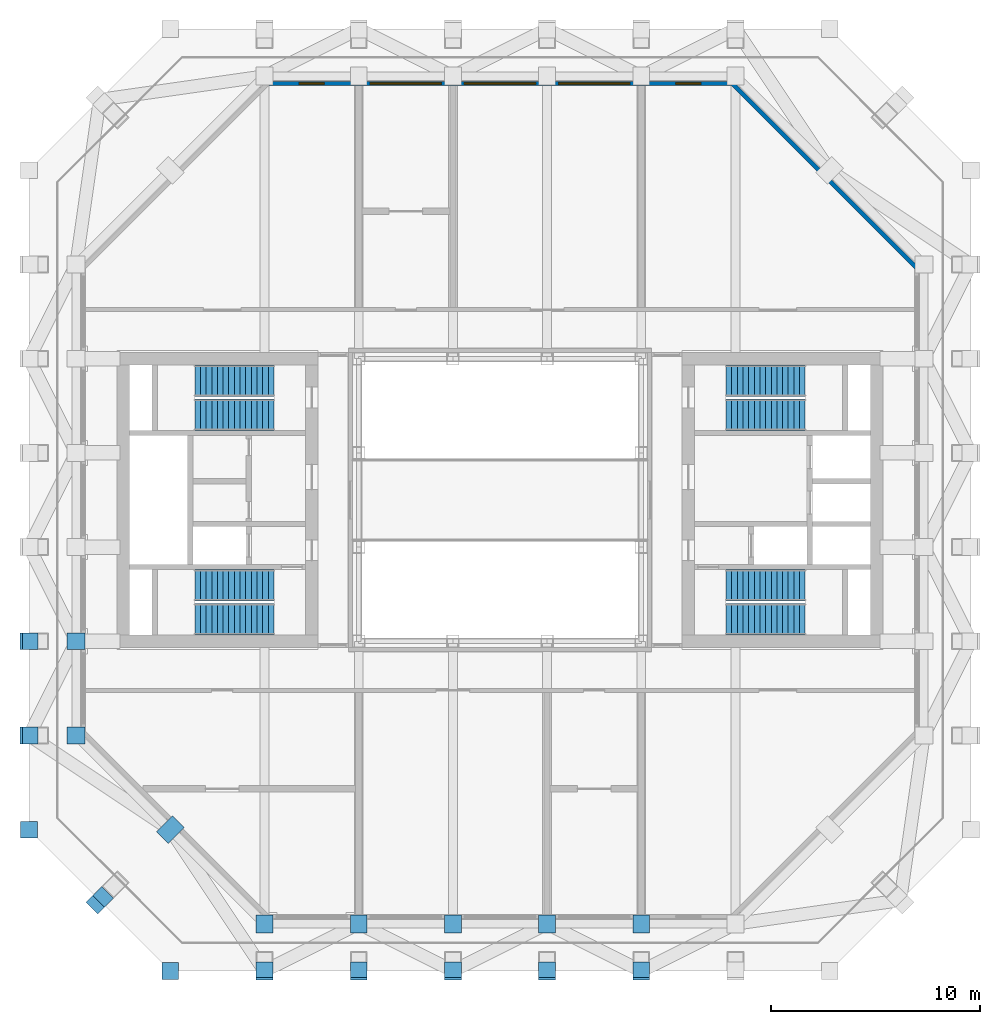
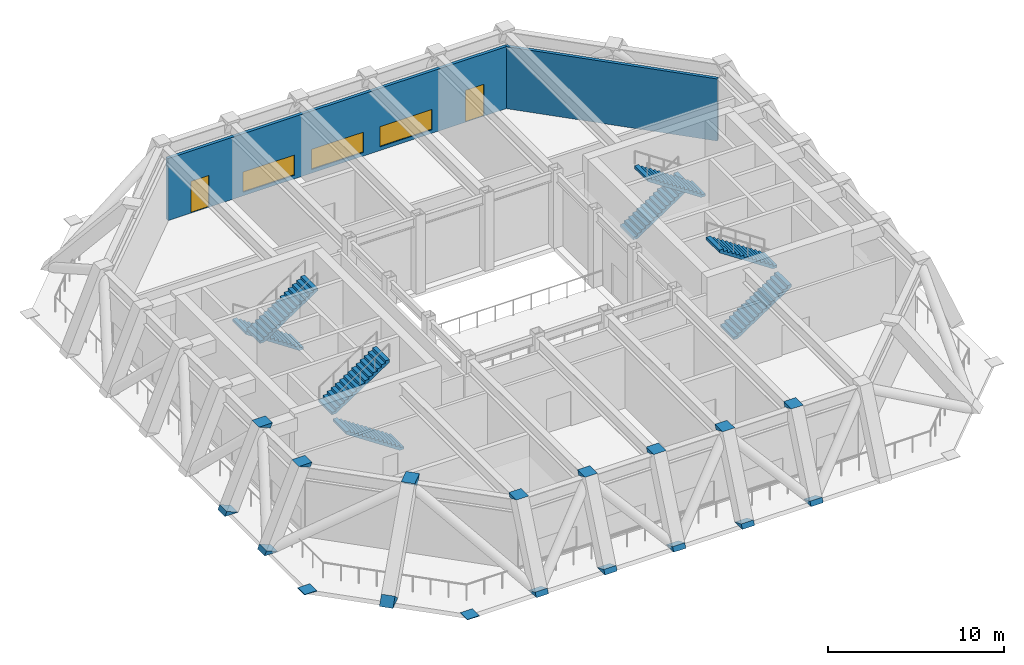
# One storey, part 5 of 8: 18 discrete accessories, 8 stair flights, 3 windows, 2 doors, 2 walls, 5 openings, 4 elements without a shape of their own.
"""IFC4 building model written with IfcOpenShell, lengths in metres."""

from ifc_helpers import new_model, si_unit, direction, frame, frame_2d, origin, origin_2d, place, context, subcontext, project, spatial, polyline, rectangle, outline, extrude, clip, halfspace, material, layer, layer_set, type_object, element, fill, aggregate, save


model = new_model("IFC4")

# Units and contexts
model_context = context("Model", 3, precision=1e-05, world=origin(), true_north=direction((0.0, 1.0)))
body_context = subcontext(model_context, "Body", "Model", "MODEL_VIEW")
ifc_project = project(units=[si_unit("LENGTHUNIT", "METRE"), si_unit("AREAUNIT", "SQUARE_METRE"), si_unit("VOLUMEUNIT", "CUBIC_METRE"), si_unit("PLANEANGLEUNIT", "RADIAN"), si_unit("MASSUNIT", "GRAM", prefix="KILO")], contexts=[model_context])

# Site, building, storey
site_placement = place(None, origin())
site = spatial("IfcSite", under=ifc_project, at=site_placement, CompositionType="ELEMENT")
building_placement = place(site_placement, origin())
building = spatial("IfcBuilding", under=site, at=building_placement, Name="Msasa Ring Tower", CompositionType="ELEMENT")
storey_placement = place(building_placement, frame((0.0, 0.0, 190.39990234375)))
storey = spatial("IfcBuildingStorey", under=building, at=storey_placement, Name="L50", CompositionType="ELEMENT", Elevation=190.39990234375)

# Wall
ifc_material_1 = material(Name="Terracotta rainscreen on blockwork", Category="masonry")
ifc_layer = layer(ifc_material_1, 0.199951171875)
ifc_layer_set = layer_set([ifc_layer], Name="FW3 PLANT FLOOR WALL 200")
wall_type = type_object("IfcWallType", Name="FW3 PLANT FLOOR WALL 200", PredefinedType="SOLIDWALL", material=ifc_layer_set)
wall_1_placement = place(storey_placement, frame((11.10498046875, 19.89990234375, 0.0), z_axis=(0.0, 0.0, 1.0), x_axis=(0.707106781187, -0.707106781187, 0.0)))
element("IfcWall", 1, at=wall_1_placement, inside=storey, type_object=wall_type, Name="Plant floor wall NE L50", PredefinedType="SOLIDWALL", context=body_context, shape_type="SweptSolid", body=[
    extrude(rectangle(XDim=12.43798828125, YDim=0.199951171875, at=frame_2d((6.218994140625, 0.0))), origin(), (0.0, 0.0, 1.0), 4.29931640625),
])

# Wall, openings, doors, windows
wall_2_placement = place(storey_placement, frame((-11.10498046875, 19.89990234375, 0.0), z_axis=(0.0, 0.0, 1.0), x_axis=(1.0, 0.0, 0.0)))
wall_2 = element("IfcWall", 2, at=wall_2_placement, inside=storey, type_object=wall_type, Name="Plant floor wall N L50", PredefinedType="SOLIDWALL", context=body_context, shape_type="SweptSolid", body=[
    extrude(rectangle(XDim=22.2099609375, YDim=0.199951171875, at=frame_2d((11.10498046875, 0.0))), origin(), (0.0, 0.0, 1.0), 4.29931640625),
])
opening_1_placement = place(wall_2_placement, frame((1.5048828125, 0.0, 0.0)))
opening_1 = element("IfcOpeningElement", 3, at=opening_1_placement, cuts=wall_2, Name="Opening L50-001", PredefinedType="OPENING", context=body_context, shape_type="SweptSolid", body=[
    extrude(rectangle(XDim=1.199951171875, YDim=2.199951171875, at=frame_2d((0.60009765625, 1.10009765625))), frame((0.0, 0.10986328125, 0.0), z_axis=(0.0, -1.0, 0.0), x_axis=(1.0, 0.0, 0.0)), (0.0, 0.0, 1.0), 0.219970703125),
])
opening_2_placement = place(wall_2_placement, frame((4.905029296875, 0.0, 0.25)))
opening_2 = element("IfcOpeningElement", 4, at=opening_2_placement, cuts=wall_2, Name="Opening LV1", PredefinedType="OPENING", context=body_context, shape_type="SweptSolid", body=[
    extrude(rectangle(XDim=3.39990234375, YDim=1.39990234375, at=frame_2d((1.699951171875, 0.699951171875))), frame((0.0, 0.10986328125, 0.0), z_axis=(0.0, -1.0, 0.0), x_axis=(1.0, 0.0, 0.0)), (0.0, 0.0, 1.0), 0.219970703125),
])
opening_3_placement = place(wall_2_placement, frame((9.405029296875, 0.0, 0.25)))
opening_3 = element("IfcOpeningElement", 5, at=opening_3_placement, cuts=wall_2, Name="Opening LV1", PredefinedType="OPENING", context=body_context, shape_type="SweptSolid", body=[
    extrude(rectangle(XDim=3.39990234375, YDim=1.39990234375, at=frame_2d((1.699951171875, 0.699951171875))), frame((0.0, 0.10986328125, 0.0), z_axis=(0.0, -1.0, 0.0), x_axis=(1.0, 0.0, 0.0)), (0.0, 0.0, 1.0), 0.219970703125),
])
opening_4_placement = place(wall_2_placement, frame((13.905029296875, 0.0, 0.25)))
opening_4 = element("IfcOpeningElement", 6, at=opening_4_placement, cuts=wall_2, Name="Opening LV1", PredefinedType="OPENING", context=body_context, shape_type="SweptSolid", body=[
    extrude(rectangle(XDim=3.39990234375, YDim=1.39990234375, at=frame_2d((1.699951171875, 0.699951171875))), frame((0.0, 0.10986328125, 0.0), z_axis=(0.0, -1.0, 0.0), x_axis=(1.0, 0.0, 0.0)), (0.0, 0.0, 1.0), 0.219970703125),
])
opening_5_placement = place(wall_2_placement, frame((19.5048828125, 0.0, 0.0)))
opening_5 = element("IfcOpeningElement", 7, at=opening_5_placement, cuts=wall_2, Name="Opening L50-002", PredefinedType="OPENING", context=body_context, shape_type="SweptSolid", body=[
    extrude(rectangle(XDim=1.199951171875, YDim=2.199951171875, at=frame_2d((0.60009765625, 1.10009765625))), frame((0.0, 0.10986328125, 0.0), z_axis=(0.0, -1.0, 0.0), x_axis=(1.0, 0.0, 0.0)), (0.0, 0.0, 1.0), 0.219970703125),
])
ifc_material_2 = material(Name="Aluminium frame with clear glass", Category="aluminium")
door_type = type_object("IfcDoorType", Name="ED2 REFUGE DOOR 1200x2200", OperationType="SINGLE_SWING_LEFT", PredefinedType="DOOR", material=ifc_material_2)
door_1_placement = place(opening_1_placement, origin())
door_1 = element("IfcDoor", 8, at=door_1_placement, inside=storey, type_object=door_type, Name="Refuge terrace door N L50", OperationType="SINGLE_SWING_LEFT", OverallHeight=2.199951171875, OverallWidth=1.199951171875, PredefinedType="DOOR", context=body_context, shape_type="SweptSolid", body=[
    extrude(rectangle(XDim=1.199951171875, YDim=2.199951171875, at=frame_2d((0.60009765625, 1.10009765625))), frame((0.0, 0.02490234375, 0.0), z_axis=(0.0, -1.0, 0.0), x_axis=(1.0, 0.0, 0.0)), (0.0, 0.0, 1.0), 0.050048828125),
])
fill(opening_1, door_1)
door_2_placement = place(opening_5_placement, origin())
door_2 = element("IfcDoor", 9, at=door_2_placement, inside=storey, type_object=door_type, Name="Refuge terrace door N L50", OperationType="SINGLE_SWING_RIGHT", OverallHeight=2.199951171875, OverallWidth=1.199951171875, PredefinedType="DOOR", context=body_context, shape_type="SweptSolid", body=[
    extrude(rectangle(XDim=1.199951171875, YDim=2.199951171875, at=frame_2d((0.60009765625, 1.10009765625))), frame((0.0, 0.02490234375, 0.0), z_axis=(0.0, -1.0, 0.0), x_axis=(1.0, 0.0, 0.0)), (0.0, 0.0, 1.0), 0.050048828125),
])
fill(opening_5, door_2)
ifc_material_3 = material(Name="Aluminium weather louvre", Category="aluminium")
window_type = type_object("IfcWindowType", Name="LV1 PLANT LOUVRE 3400x1400", PartitioningType="SINGLE_PANEL", PredefinedType="USERDEFINED", material=ifc_material_3)
window_1_placement = place(opening_2_placement, origin())
window_1 = element("IfcWindow", 10, at=window_1_placement, inside=storey, type_object=window_type, Name="Plant louvre N L50 01", ObjectType="LOUVRE", OverallHeight=1.39990234375, OverallWidth=3.39990234375, PartitioningType="SINGLE_PANEL", PredefinedType="USERDEFINED", context=body_context, shape_type="SweptSolid", body=[
    extrude(rectangle(XDim=3.39990234375, YDim=1.39990234375, at=frame_2d((1.699951171875, 0.699951171875))), frame((0.0, 0.030029296875, 0.0), z_axis=(0.0, -1.0, 0.0), x_axis=(1.0, 0.0, 0.0)), (0.0, 0.0, 1.0), 0.06005859375),
])
fill(opening_2, window_1)
window_2_placement = place(opening_3_placement, origin())
window_2 = element("IfcWindow", 11, at=window_2_placement, inside=storey, type_object=window_type, Name="Plant louvre N L50 02", ObjectType="LOUVRE", OverallHeight=1.39990234375, OverallWidth=3.39990234375, PartitioningType="SINGLE_PANEL", PredefinedType="USERDEFINED", context=body_context, shape_type="SweptSolid", body=[
    extrude(rectangle(XDim=3.39990234375, YDim=1.39990234375, at=frame_2d((1.699951171875, 0.699951171875))), frame((0.0, 0.030029296875, 0.0), z_axis=(0.0, -1.0, 0.0), x_axis=(1.0, 0.0, 0.0)), (0.0, 0.0, 1.0), 0.06005859375),
])
fill(opening_3, window_2)
window_3_placement = place(opening_4_placement, origin())
window_3 = element("IfcWindow", 12, at=window_3_placement, inside=storey, type_object=window_type, Name="Plant louvre N L50 03", ObjectType="LOUVRE", OverallHeight=1.39990234375, OverallWidth=3.39990234375, PartitioningType="SINGLE_PANEL", PredefinedType="USERDEFINED", context=body_context, shape_type="SweptSolid", body=[
    extrude(rectangle(XDim=3.39990234375, YDim=1.39990234375, at=frame_2d((1.699951171875, 0.699951171875))), frame((0.0, 0.030029296875, 0.0), z_axis=(0.0, -1.0, 0.0), x_axis=(1.0, 0.0, 0.0)), (0.0, 0.0, 1.0), 0.06005859375),
])
fill(opening_4, window_3)

# Stair, stair flights
ifc_material_4 = material(Name="Concrete C40/50", Category="concrete")
stair_type = type_object("IfcStairType", Name="STC CORE STAIR 30 RISERS 180", PredefinedType="HALF_TURN_STAIR", material=ifc_material_4)
stair_1_placement = place(storey_placement, origin())
stair_1 = element("IfcStair", 13, at=stair_1_placement, inside=storey, type_object=stair_type, Name="Core stair SEA L50", PredefinedType="HALF_TURN_STAIR")
ifc_material_5 = material(Name="Concrete C40/50", Category="concrete")
stair_flight_type = type_object("IfcStairFlightType", Name="ST15 CORE STAIR FLIGHT 1500 15 RISERS 180", PredefinedType="STRAIGHT", material=ifc_material_5)
stair_flight_1_placement = place(storey_placement, frame((10.800048828125, -5.699951171875, 0.0), z_axis=(0.0, 0.0, 1.0), x_axis=(1.0, 0.0, 0.0)))
stair_flight_1 = element("IfcStairFlight", 14, at=stair_flight_1_placement, type_object=stair_flight_type, Name="SEA flight 1", NumberOfRisers=15, NumberOfTreads=14, PredefinedType="STRAIGHT", RiserHeight=0.18, TreadLength=0.27, context=body_context, shape_type="SweptSolid", body=[
    extrude(outline(polyline([(0.0, 0.0), (0.0, 0.179931640625), (0.27001953125, 0.179931640625), (0.27001953125, 0.360107421875), (0.5400390625, 0.360107421875), (0.5400390625, 0.5400390625), (0.81005859375, 0.5400390625), (0.81005859375, 0.719970703125), (1.080078125, 0.719970703125), (1.080078125, 0.89990234375), (1.35009765625, 0.89990234375), (1.35009765625, 1.080078125), (1.6201171875, 1.080078125), (1.6201171875, 1.260009765625), (1.889892578125, 1.260009765625), (1.889892578125, 1.43994140625), (2.159912109375, 1.43994140625), (2.159912109375, 1.6201171875), (2.429931640625, 1.6201171875), (2.429931640625, 1.800048828125), (2.699951171875, 1.800048828125), (2.699951171875, 1.97998046875), (2.969970703125, 1.97998046875), (2.969970703125, 2.159912109375), (3.239990234375, 2.159912109375), (3.239990234375, 2.340087890625), (3.510009765625, 2.340087890625), (3.510009765625, 2.52001953125), (3.780029296875, 2.52001953125), (3.780029296875, 2.699951171875), (3.780029296875, 2.33984375), (0.270263671875, 0.0), (0.0, 0.0)])), frame((0.0, 0.75, 0.0), z_axis=(0.0, -1.0, 0.0), x_axis=(1.0, 0.0, 0.0)), (0.0, 0.0, 1.0), 1.5),
])
stair_flight_2_placement = place(storey_placement, frame((14.580078125, -4.074951171875, 2.7001953125), z_axis=(0.0, 0.0, 1.0), x_axis=(-1.0, 0.0, 0.0)))
stair_flight_2 = element("IfcStairFlight", 15, at=stair_flight_2_placement, type_object=stair_flight_type, Name="SEA flight 2", NumberOfRisers=15, NumberOfTreads=14, PredefinedType="STRAIGHT", RiserHeight=0.18, TreadLength=0.27, context=body_context, shape_type="SweptSolid", body=[
    extrude(outline(polyline([(0.0, 0.0), (0.0, 0.179931640625), (0.27001953125, 0.179931640625), (0.27001953125, 0.360107421875), (0.5400390625, 0.360107421875), (0.5400390625, 0.5400390625), (0.81005859375, 0.5400390625), (0.81005859375, 0.719970703125), (1.080078125, 0.719970703125), (1.080078125, 0.89990234375), (1.35009765625, 0.89990234375), (1.35009765625, 1.080078125), (1.6201171875, 1.080078125), (1.6201171875, 1.260009765625), (1.889892578125, 1.260009765625), (1.889892578125, 1.43994140625), (2.159912109375, 1.43994140625), (2.159912109375, 1.6201171875), (2.429931640625, 1.6201171875), (2.429931640625, 1.800048828125), (2.699951171875, 1.800048828125), (2.699951171875, 1.97998046875), (2.969970703125, 1.97998046875), (2.969970703125, 2.159912109375), (3.239990234375, 2.159912109375), (3.239990234375, 2.340087890625), (3.510009765625, 2.340087890625), (3.510009765625, 2.52001953125), (3.780029296875, 2.52001953125), (3.780029296875, 2.699951171875), (3.780029296875, 2.33984375), (0.270263671875, 0.0), (0.0, 0.0)])), frame((0.0, 0.75, 0.0), z_axis=(0.0, -1.0, 0.0), x_axis=(1.0, 0.0, 0.0)), (0.0, 0.0, 1.0), 1.5),
])
aggregate(stair_1, [stair_flight_1, stair_flight_2])

stair_2_placement = place(storey_placement, origin())
stair_2 = element("IfcStair", 16, at=stair_2_placement, inside=storey, type_object=stair_type, Name="Core stair SEB L50", PredefinedType="HALF_TURN_STAIR")
stair_flight_3_placement = place(storey_placement, frame((10.800048828125, 5.699951171875, 0.0), z_axis=(0.0, 0.0, 1.0), x_axis=(1.0, 0.0, 0.0)))
stair_flight_3 = element("IfcStairFlight", 17, at=stair_flight_3_placement, type_object=stair_flight_type, Name="SEB flight 1", NumberOfRisers=15, NumberOfTreads=14, PredefinedType="STRAIGHT", RiserHeight=0.18, TreadLength=0.27, context=body_context, shape_type="SweptSolid", body=[
    extrude(outline(polyline([(0.0, 0.0), (0.0, 0.179931640625), (0.27001953125, 0.179931640625), (0.27001953125, 0.360107421875), (0.5400390625, 0.360107421875), (0.5400390625, 0.5400390625), (0.81005859375, 0.5400390625), (0.81005859375, 0.719970703125), (1.080078125, 0.719970703125), (1.080078125, 0.89990234375), (1.35009765625, 0.89990234375), (1.35009765625, 1.080078125), (1.6201171875, 1.080078125), (1.6201171875, 1.260009765625), (1.889892578125, 1.260009765625), (1.889892578125, 1.43994140625), (2.159912109375, 1.43994140625), (2.159912109375, 1.6201171875), (2.429931640625, 1.6201171875), (2.429931640625, 1.800048828125), (2.699951171875, 1.800048828125), (2.699951171875, 1.97998046875), (2.969970703125, 1.97998046875), (2.969970703125, 2.159912109375), (3.239990234375, 2.159912109375), (3.239990234375, 2.340087890625), (3.510009765625, 2.340087890625), (3.510009765625, 2.52001953125), (3.780029296875, 2.52001953125), (3.780029296875, 2.699951171875), (3.780029296875, 2.33984375), (0.270263671875, 0.0), (0.0, 0.0)])), frame((0.0, 0.75, 0.0), z_axis=(0.0, -1.0, 0.0), x_axis=(1.0, 0.0, 0.0)), (0.0, 0.0, 1.0), 1.5),
])
stair_flight_4_placement = place(storey_placement, frame((14.580078125, 4.074951171875, 2.7001953125), z_axis=(0.0, 0.0, 1.0), x_axis=(-1.0, 0.0, 0.0)))
stair_flight_4 = element("IfcStairFlight", 18, at=stair_flight_4_placement, type_object=stair_flight_type, Name="SEB flight 2", NumberOfRisers=15, NumberOfTreads=14, PredefinedType="STRAIGHT", RiserHeight=0.18, TreadLength=0.27, context=body_context, shape_type="SweptSolid", body=[
    extrude(outline(polyline([(0.0, 0.0), (0.0, 0.179931640625), (0.27001953125, 0.179931640625), (0.27001953125, 0.360107421875), (0.5400390625, 0.360107421875), (0.5400390625, 0.5400390625), (0.81005859375, 0.5400390625), (0.81005859375, 0.719970703125), (1.080078125, 0.719970703125), (1.080078125, 0.89990234375), (1.35009765625, 0.89990234375), (1.35009765625, 1.080078125), (1.6201171875, 1.080078125), (1.6201171875, 1.260009765625), (1.889892578125, 1.260009765625), (1.889892578125, 1.43994140625), (2.159912109375, 1.43994140625), (2.159912109375, 1.6201171875), (2.429931640625, 1.6201171875), (2.429931640625, 1.800048828125), (2.699951171875, 1.800048828125), (2.699951171875, 1.97998046875), (2.969970703125, 1.97998046875), (2.969970703125, 2.159912109375), (3.239990234375, 2.159912109375), (3.239990234375, 2.340087890625), (3.510009765625, 2.340087890625), (3.510009765625, 2.52001953125), (3.780029296875, 2.52001953125), (3.780029296875, 2.699951171875), (3.780029296875, 2.33984375), (0.270263671875, 0.0), (0.0, 0.0)])), frame((0.0, 0.75, 0.0), z_axis=(0.0, -1.0, 0.0), x_axis=(1.0, 0.0, 0.0)), (0.0, 0.0, 1.0), 1.5),
])
aggregate(stair_2, [stair_flight_3, stair_flight_4])

stair_3_placement = place(storey_placement, origin())
stair_3 = element("IfcStair", 19, at=stair_3_placement, inside=storey, type_object=stair_type, Name="Core stair SWA L50", PredefinedType="HALF_TURN_STAIR")
stair_flight_5_placement = place(storey_placement, frame((-10.800048828125, -5.699951171875, 0.0), z_axis=(0.0, 0.0, 1.0), x_axis=(-1.0, 0.0, 0.0)))
stair_flight_5 = element("IfcStairFlight", 20, at=stair_flight_5_placement, type_object=stair_flight_type, Name="SWA flight 1", NumberOfRisers=15, NumberOfTreads=14, PredefinedType="STRAIGHT", RiserHeight=0.18, TreadLength=0.27, context=body_context, shape_type="SweptSolid", body=[
    extrude(outline(polyline([(0.0, 0.0), (0.0, 0.179931640625), (0.27001953125, 0.179931640625), (0.27001953125, 0.360107421875), (0.5400390625, 0.360107421875), (0.5400390625, 0.5400390625), (0.81005859375, 0.5400390625), (0.81005859375, 0.719970703125), (1.080078125, 0.719970703125), (1.080078125, 0.89990234375), (1.35009765625, 0.89990234375), (1.35009765625, 1.080078125), (1.6201171875, 1.080078125), (1.6201171875, 1.260009765625), (1.889892578125, 1.260009765625), (1.889892578125, 1.43994140625), (2.159912109375, 1.43994140625), (2.159912109375, 1.6201171875), (2.429931640625, 1.6201171875), (2.429931640625, 1.800048828125), (2.699951171875, 1.800048828125), (2.699951171875, 1.97998046875), (2.969970703125, 1.97998046875), (2.969970703125, 2.159912109375), (3.239990234375, 2.159912109375), (3.239990234375, 2.340087890625), (3.510009765625, 2.340087890625), (3.510009765625, 2.52001953125), (3.780029296875, 2.52001953125), (3.780029296875, 2.699951171875), (3.780029296875, 2.33984375), (0.270263671875, 0.0), (0.0, 0.0)])), frame((0.0, 0.75, 0.0), z_axis=(0.0, -1.0, 0.0), x_axis=(1.0, 0.0, 0.0)), (0.0, 0.0, 1.0), 1.5),
])
stair_flight_6_placement = place(storey_placement, frame((-14.580078125, -4.074951171875, 2.7001953125), z_axis=(0.0, 0.0, 1.0), x_axis=(1.0, 0.0, 0.0)))
stair_flight_6 = element("IfcStairFlight", 21, at=stair_flight_6_placement, type_object=stair_flight_type, Name="SWA flight 2", NumberOfRisers=15, NumberOfTreads=14, PredefinedType="STRAIGHT", RiserHeight=0.18, TreadLength=0.27, context=body_context, shape_type="SweptSolid", body=[
    extrude(outline(polyline([(0.0, 0.0), (0.0, 0.179931640625), (0.27001953125, 0.179931640625), (0.27001953125, 0.360107421875), (0.5400390625, 0.360107421875), (0.5400390625, 0.5400390625), (0.81005859375, 0.5400390625), (0.81005859375, 0.719970703125), (1.080078125, 0.719970703125), (1.080078125, 0.89990234375), (1.35009765625, 0.89990234375), (1.35009765625, 1.080078125), (1.6201171875, 1.080078125), (1.6201171875, 1.260009765625), (1.889892578125, 1.260009765625), (1.889892578125, 1.43994140625), (2.159912109375, 1.43994140625), (2.159912109375, 1.6201171875), (2.429931640625, 1.6201171875), (2.429931640625, 1.800048828125), (2.699951171875, 1.800048828125), (2.699951171875, 1.97998046875), (2.969970703125, 1.97998046875), (2.969970703125, 2.159912109375), (3.239990234375, 2.159912109375), (3.239990234375, 2.340087890625), (3.510009765625, 2.340087890625), (3.510009765625, 2.52001953125), (3.780029296875, 2.52001953125), (3.780029296875, 2.699951171875), (3.780029296875, 2.33984375), (0.270263671875, 0.0), (0.0, 0.0)])), frame((0.0, 0.75, 0.0), z_axis=(0.0, -1.0, 0.0), x_axis=(1.0, 0.0, 0.0)), (0.0, 0.0, 1.0), 1.5),
])
aggregate(stair_3, [stair_flight_5, stair_flight_6])

stair_4_placement = place(storey_placement, origin())
stair_4 = element("IfcStair", 22, at=stair_4_placement, inside=storey, type_object=stair_type, Name="Core stair SWB L50", PredefinedType="HALF_TURN_STAIR")
stair_flight_7_placement = place(storey_placement, frame((-10.800048828125, 5.699951171875, 0.0), z_axis=(0.0, 0.0, 1.0), x_axis=(-1.0, 0.0, 0.0)))
stair_flight_7 = element("IfcStairFlight", 23, at=stair_flight_7_placement, type_object=stair_flight_type, Name="SWB flight 1", NumberOfRisers=15, NumberOfTreads=14, PredefinedType="STRAIGHT", RiserHeight=0.18, TreadLength=0.27, context=body_context, shape_type="SweptSolid", body=[
    extrude(outline(polyline([(0.0, 0.0), (0.0, 0.179931640625), (0.27001953125, 0.179931640625), (0.27001953125, 0.360107421875), (0.5400390625, 0.360107421875), (0.5400390625, 0.5400390625), (0.81005859375, 0.5400390625), (0.81005859375, 0.719970703125), (1.080078125, 0.719970703125), (1.080078125, 0.89990234375), (1.35009765625, 0.89990234375), (1.35009765625, 1.080078125), (1.6201171875, 1.080078125), (1.6201171875, 1.260009765625), (1.889892578125, 1.260009765625), (1.889892578125, 1.43994140625), (2.159912109375, 1.43994140625), (2.159912109375, 1.6201171875), (2.429931640625, 1.6201171875), (2.429931640625, 1.800048828125), (2.699951171875, 1.800048828125), (2.699951171875, 1.97998046875), (2.969970703125, 1.97998046875), (2.969970703125, 2.159912109375), (3.239990234375, 2.159912109375), (3.239990234375, 2.340087890625), (3.510009765625, 2.340087890625), (3.510009765625, 2.52001953125), (3.780029296875, 2.52001953125), (3.780029296875, 2.699951171875), (3.780029296875, 2.33984375), (0.270263671875, 0.0), (0.0, 0.0)])), frame((0.0, 0.75, 0.0), z_axis=(0.0, -1.0, 0.0), x_axis=(1.0, 0.0, 0.0)), (0.0, 0.0, 1.0), 1.5),
])
stair_flight_8_placement = place(storey_placement, frame((-14.580078125, 4.074951171875, 2.7001953125), z_axis=(0.0, 0.0, 1.0), x_axis=(1.0, 0.0, 0.0)))
stair_flight_8 = element("IfcStairFlight", 24, at=stair_flight_8_placement, type_object=stair_flight_type, Name="SWB flight 2", NumberOfRisers=15, NumberOfTreads=14, PredefinedType="STRAIGHT", RiserHeight=0.18, TreadLength=0.27, context=body_context, shape_type="SweptSolid", body=[
    extrude(outline(polyline([(0.0, 0.0), (0.0, 0.179931640625), (0.27001953125, 0.179931640625), (0.27001953125, 0.360107421875), (0.5400390625, 0.360107421875), (0.5400390625, 0.5400390625), (0.81005859375, 0.5400390625), (0.81005859375, 0.719970703125), (1.080078125, 0.719970703125), (1.080078125, 0.89990234375), (1.35009765625, 0.89990234375), (1.35009765625, 1.080078125), (1.6201171875, 1.080078125), (1.6201171875, 1.260009765625), (1.889892578125, 1.260009765625), (1.889892578125, 1.43994140625), (2.159912109375, 1.43994140625), (2.159912109375, 1.6201171875), (2.429931640625, 1.6201171875), (2.429931640625, 1.800048828125), (2.699951171875, 1.800048828125), (2.699951171875, 1.97998046875), (2.969970703125, 1.97998046875), (2.969970703125, 2.159912109375), (3.239990234375, 2.159912109375), (3.239990234375, 2.340087890625), (3.510009765625, 2.340087890625), (3.510009765625, 2.52001953125), (3.780029296875, 2.52001953125), (3.780029296875, 2.699951171875), (3.780029296875, 2.33984375), (0.270263671875, 0.0), (0.0, 0.0)])), frame((0.0, 0.75, 0.0), z_axis=(0.0, -1.0, 0.0), x_axis=(1.0, 0.0, 0.0)), (0.0, 0.0, 1.0), 1.5),
])
aggregate(stair_4, [stair_flight_7, stair_flight_8])

# Discrete accessories
discrete_accessory_1_placement = place(storey_placement, frame((-11.25, -22.5, 0.0)))
element("IfcDiscreteAccessory", 25, at=discrete_accessory_1_placement, inside=storey, Name="Raked column foot node S-11.25 L50", ObjectType="RAKED COLUMN NODE", PredefinedType="USERDEFINED", context=body_context, shape_type="Clipping", body=[
    clip(extrude(rectangle(XDim=0.800048828125, YDim=0.800048828125, at=origin_2d()), frame((0.0, -0.064208984375, -0.15380859375), z_axis=(0.0, 0.384615029586, 0.923077071006), x_axis=(0.0, -0.923077071006, 0.384615029586)), (0.0, 0.0, 1.0), 0.33349609375), halfspace(frame((0.0, 0.0, 0.0), z_axis=(0.0, 0.0, 1.0)), True)),
])
discrete_accessory_2_placement = place(storey_placement, frame((-11.25, -20.25, 5.400146484375)))
element("IfcDiscreteAccessory", 26, at=discrete_accessory_2_placement, inside=storey, Name="Raked column head node S-11.25 L50", ObjectType="RAKED COLUMN NODE", PredefinedType="USERDEFINED", context=body_context, shape_type="Clipping", body=[
    clip(extrude(rectangle(XDim=0.800048828125, YDim=0.800048828125, at=origin_2d()), frame((0.0, -0.064208984375, -0.15380859375), z_axis=(0.0, 0.384615029586, 0.923077071006), x_axis=(0.0, -0.923077071006, 0.384615029586)), (0.0, 0.0, 1.0), 0.33349609375), halfspace(frame((0.0, 0.0, 0.0), z_axis=(0.0, 0.0, -1.0)), True)),
])
discrete_accessory_3_placement = place(storey_placement, frame((-22.5, -11.25, 0.0)))
element("IfcDiscreteAccessory", 27, at=discrete_accessory_3_placement, inside=storey, Name="Raked column foot node W-11.25 L50", ObjectType="RAKED COLUMN NODE", PredefinedType="USERDEFINED", context=body_context, shape_type="Clipping", body=[
    clip(extrude(rectangle(XDim=0.800048828125, YDim=0.800048828125, at=origin_2d()), frame((-0.064208984375, 0.0, -0.15380859375), z_axis=(0.384615029586, 0.0, 0.923077071006), x_axis=(0.0, 1.0, 0.0)), (0.0, 0.0, 1.0), 0.33349609375), halfspace(frame((0.0, 0.0, 0.0), z_axis=(0.0, 0.0, 1.0)), True)),
])
discrete_accessory_4_placement = place(storey_placement, frame((-20.25, -11.25, 5.400146484375)))
element("IfcDiscreteAccessory", 28, at=discrete_accessory_4_placement, inside=storey, Name="Raked column head node W-11.25 L50", ObjectType="RAKED COLUMN NODE", PredefinedType="USERDEFINED", context=body_context, shape_type="Clipping", body=[
    clip(extrude(rectangle(XDim=0.800048828125, YDim=0.800048828125, at=origin_2d()), frame((-0.064208984375, 0.0, -0.15380859375), z_axis=(0.384615029586, 0.0, 0.923077071006), x_axis=(0.0, 1.0, 0.0)), (0.0, 0.0, 1.0), 0.33349609375), halfspace(frame((0.0, 0.0, 0.0), z_axis=(0.0, 0.0, -1.0)), True)),
])
discrete_accessory_5_placement = place(storey_placement, frame((-6.75, -22.5, 0.0)))
element("IfcDiscreteAccessory", 29, at=discrete_accessory_5_placement, inside=storey, Name="Raked column foot node S-6.75 L50", ObjectType="RAKED COLUMN NODE", PredefinedType="USERDEFINED", context=body_context, shape_type="Clipping", body=[
    clip(extrude(rectangle(XDim=0.800048828125, YDim=0.800048828125, at=origin_2d()), frame((0.0, -0.064208984375, -0.15380859375), z_axis=(0.0, 0.384615029586, 0.923077071006), x_axis=(0.0, -0.923077071006, 0.384615029586)), (0.0, 0.0, 1.0), 0.33349609375), halfspace(frame((0.0, 0.0, 0.0), z_axis=(0.0, 0.0, 1.0)), True)),
])
discrete_accessory_6_placement = place(storey_placement, frame((-6.75, -20.25, 5.400146484375)))
element("IfcDiscreteAccessory", 30, at=discrete_accessory_6_placement, inside=storey, Name="Raked column head node S-6.75 L50", ObjectType="RAKED COLUMN NODE", PredefinedType="USERDEFINED", context=body_context, shape_type="Clipping", body=[
    clip(extrude(rectangle(XDim=0.800048828125, YDim=0.800048828125, at=origin_2d()), frame((0.0, -0.064208984375, -0.15380859375), z_axis=(0.0, 0.384615029586, 0.923077071006), x_axis=(0.0, -0.923077071006, 0.384615029586)), (0.0, 0.0, 1.0), 0.33349609375), halfspace(frame((0.0, 0.0, 0.0), z_axis=(0.0, 0.0, -1.0)), True)),
])
discrete_accessory_7_placement = place(storey_placement, frame((-22.5, -6.75, 0.0)))
element("IfcDiscreteAccessory", 31, at=discrete_accessory_7_placement, inside=storey, Name="Raked column foot node W-6.75 L50", ObjectType="RAKED COLUMN NODE", PredefinedType="USERDEFINED", context=body_context, shape_type="Clipping", body=[
    clip(extrude(rectangle(XDim=0.800048828125, YDim=0.800048828125, at=origin_2d()), frame((-0.064208984375, 0.0, -0.15380859375), z_axis=(0.384615029586, 0.0, 0.923077071006), x_axis=(0.0, 1.0, 0.0)), (0.0, 0.0, 1.0), 0.33349609375), halfspace(frame((0.0, 0.0, 0.0), z_axis=(0.0, 0.0, 1.0)), True)),
])
discrete_accessory_8_placement = place(storey_placement, frame((-20.25, -6.75, 5.400146484375)))
element("IfcDiscreteAccessory", 32, at=discrete_accessory_8_placement, inside=storey, Name="Raked column head node W-6.75 L50", ObjectType="RAKED COLUMN NODE", PredefinedType="USERDEFINED", context=body_context, shape_type="Clipping", body=[
    clip(extrude(rectangle(XDim=0.800048828125, YDim=0.800048828125, at=origin_2d()), frame((-0.064208984375, 0.0, -0.15380859375), z_axis=(0.384615029586, 0.0, 0.923077071006), x_axis=(0.0, 1.0, 0.0)), (0.0, 0.0, 1.0), 0.33349609375), halfspace(frame((0.0, 0.0, 0.0), z_axis=(0.0, 0.0, -1.0)), True)),
])
discrete_accessory_9_placement = place(storey_placement, frame((-2.25, -22.5, 0.0)))
element("IfcDiscreteAccessory", 33, at=discrete_accessory_9_placement, inside=storey, Name="Raked column foot node S-2.25 L50", ObjectType="RAKED COLUMN NODE", PredefinedType="USERDEFINED", context=body_context, shape_type="Clipping", body=[
    clip(extrude(rectangle(XDim=0.800048828125, YDim=0.800048828125, at=origin_2d()), frame((0.0, -0.064208984375, -0.15380859375), z_axis=(0.0, 0.384615029586, 0.923077071006), x_axis=(0.0, -0.923077071006, 0.384615029586)), (0.0, 0.0, 1.0), 0.33349609375), halfspace(frame((0.0, 0.0, 0.0), z_axis=(0.0, 0.0, 1.0)), True)),
])
discrete_accessory_10_placement = place(storey_placement, frame((-2.25, -20.25, 5.400146484375)))
element("IfcDiscreteAccessory", 34, at=discrete_accessory_10_placement, inside=storey, Name="Raked column head node S-2.25 L50", ObjectType="RAKED COLUMN NODE", PredefinedType="USERDEFINED", context=body_context, shape_type="Clipping", body=[
    clip(extrude(rectangle(XDim=0.800048828125, YDim=0.800048828125, at=origin_2d()), frame((0.0, -0.064208984375, -0.15380859375), z_axis=(0.0, 0.384615029586, 0.923077071006), x_axis=(0.0, -0.923077071006, 0.384615029586)), (0.0, 0.0, 1.0), 0.33349609375), halfspace(frame((0.0, 0.0, 0.0), z_axis=(0.0, 0.0, -1.0)), True)),
])
discrete_accessory_11_placement = place(storey_placement, frame((2.25, -22.5, 0.0)))
element("IfcDiscreteAccessory", 35, at=discrete_accessory_11_placement, inside=storey, Name="Raked column foot node S+2.25 L50", ObjectType="RAKED COLUMN NODE", PredefinedType="USERDEFINED", context=body_context, shape_type="Clipping", body=[
    clip(extrude(rectangle(XDim=0.800048828125, YDim=0.800048828125, at=origin_2d()), frame((0.0, -0.064208984375, -0.15380859375), z_axis=(0.0, 0.384615029586, 0.923077071006), x_axis=(0.0, -0.923077071006, 0.384615029586)), (0.0, 0.0, 1.0), 0.33349609375), halfspace(frame((0.0, 0.0, 0.0), z_axis=(0.0, 0.0, 1.0)), True)),
])
discrete_accessory_12_placement = place(storey_placement, frame((2.25, -20.25, 5.400146484375)))
element("IfcDiscreteAccessory", 36, at=discrete_accessory_12_placement, inside=storey, Name="Raked column head node S+2.25 L50", ObjectType="RAKED COLUMN NODE", PredefinedType="USERDEFINED", context=body_context, shape_type="Clipping", body=[
    clip(extrude(rectangle(XDim=0.800048828125, YDim=0.800048828125, at=origin_2d()), frame((0.0, -0.064208984375, -0.15380859375), z_axis=(0.0, 0.384615029586, 0.923077071006), x_axis=(0.0, -0.923077071006, 0.384615029586)), (0.0, 0.0, 1.0), 0.33349609375), halfspace(frame((0.0, 0.0, 0.0), z_axis=(0.0, 0.0, -1.0)), True)),
])
discrete_accessory_13_placement = place(storey_placement, frame((6.75, -22.5, 0.0)))
element("IfcDiscreteAccessory", 37, at=discrete_accessory_13_placement, inside=storey, Name="Raked column foot node S+6.75 L50", ObjectType="RAKED COLUMN NODE", PredefinedType="USERDEFINED", context=body_context, shape_type="Clipping", body=[
    clip(extrude(rectangle(XDim=0.800048828125, YDim=0.800048828125, at=origin_2d()), frame((0.0, -0.064208984375, -0.15380859375), z_axis=(0.0, 0.384615029586, 0.923077071006), x_axis=(0.0, -0.923077071006, 0.384615029586)), (0.0, 0.0, 1.0), 0.33349609375), halfspace(frame((0.0, 0.0, 0.0), z_axis=(0.0, 0.0, 1.0)), True)),
])
discrete_accessory_14_placement = place(storey_placement, frame((6.75, -20.25, 5.400146484375)))
element("IfcDiscreteAccessory", 38, at=discrete_accessory_14_placement, inside=storey, Name="Raked column head node S+6.75 L50", ObjectType="RAKED COLUMN NODE", PredefinedType="USERDEFINED", context=body_context, shape_type="Clipping", body=[
    clip(extrude(rectangle(XDim=0.800048828125, YDim=0.800048828125, at=origin_2d()), frame((0.0, -0.064208984375, -0.15380859375), z_axis=(0.0, 0.384615029586, 0.923077071006), x_axis=(0.0, -0.923077071006, 0.384615029586)), (0.0, 0.0, 1.0), 0.33349609375), halfspace(frame((0.0, 0.0, 0.0), z_axis=(0.0, 0.0, -1.0)), True)),
])
discrete_accessory_15_placement = place(storey_placement, frame((-19.125, -19.125, 0.0)))
element("IfcDiscreteAccessory", 39, at=discrete_accessory_15_placement, inside=storey, Name="Raked column foot node SW L50", ObjectType="RAKED COLUMN NODE", PredefinedType="USERDEFINED", context=body_context, shape_type="Clipping", body=[
    clip(extrude(rectangle(XDim=0.800048828125, YDim=0.800048828125, at=origin_2d()), frame((-0.16552734375, -0.16552734375, -0.264892578125), z_axis=(0.468292835615, 0.468292835615, 0.749268736985), x_axis=(-0.707106781187, 0.707106781187, 0.0)), (0.0, 0.0, 1.0), 0.707275390625), halfspace(frame((0.0, 0.0, 0.0), z_axis=(0.0, 0.0, 1.0)), True)),
])
discrete_accessory_16_placement = place(storey_placement, frame((-15.75, -15.75, 5.400146484375)))
element("IfcDiscreteAccessory", 40, at=discrete_accessory_16_placement, inside=storey, Name="Raked column head node SW L50", ObjectType="RAKED COLUMN NODE", PredefinedType="USERDEFINED", context=body_context, shape_type="Clipping", body=[
    clip(extrude(rectangle(XDim=0.800048828125, YDim=0.800048828125, at=origin_2d()), frame((-0.16552734375, -0.16552734375, -0.264892578125), z_axis=(0.468292835615, 0.468292835615, 0.749268736985), x_axis=(-0.707106781187, 0.707106781187, 0.0)), (0.0, 0.0, 1.0), 0.707275390625), halfspace(frame((0.0, 0.0, 0.0), z_axis=(0.0, 0.0, -1.0)), True)),
])
discrete_accessory_17_placement = place(storey_placement, origin())
element("IfcDiscreteAccessory", 41, at=discrete_accessory_17_placement, inside=storey, Name="Tube column cap plate S-15.75 L49", ObjectType="STEEL COLUMN CAP PLATE", PredefinedType="USERDEFINED", context=body_context, shape_type="SweptSolid", body=[
    extrude(outline(polyline([(-16.14990234375, -22.89990234375), (-15.35009765625, -22.89990234375), (-15.35009765625, -22.10009765625), (-16.14990234375, -22.10009765625), (-16.14990234375, -22.89990234375)])), origin(), (0.0, 0.0, 1.0), 0.0400390625),
])
discrete_accessory_18_placement = place(storey_placement, origin())
element("IfcDiscreteAccessory", 42, at=discrete_accessory_18_placement, inside=storey, Name="Tube column cap plate W-15.75 L49", ObjectType="STEEL COLUMN CAP PLATE", PredefinedType="USERDEFINED", context=body_context, shape_type="SweptSolid", body=[
    extrude(outline(polyline([(-22.89990234375, -16.14990234375), (-22.10009765625, -16.14990234375), (-22.10009765625, -15.35009765625), (-22.89990234375, -15.35009765625), (-22.89990234375, -16.14990234375)])), origin(), (0.0, 0.0, 1.0), 0.0400390625),
])

save(model, "model.ifc")
